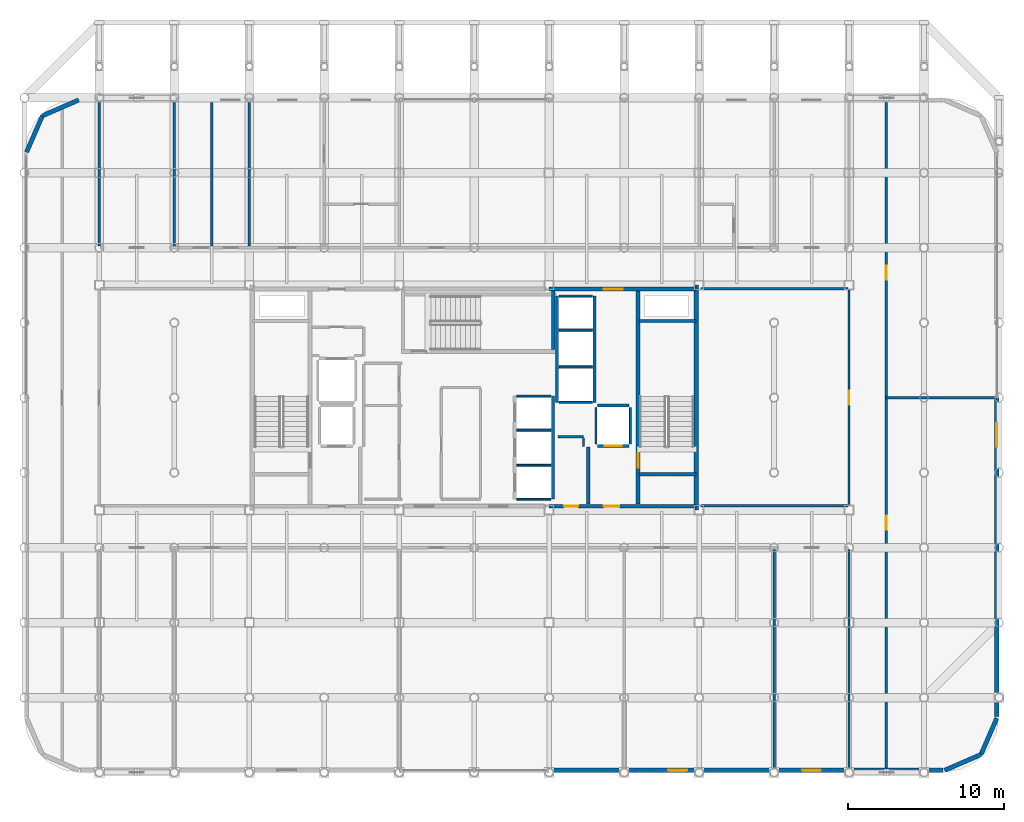
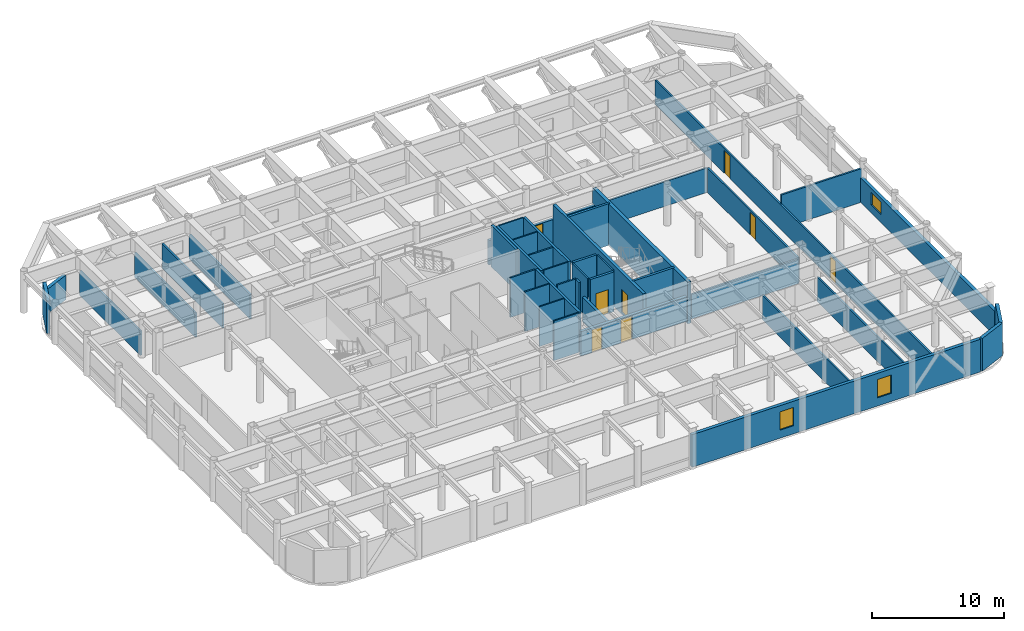
# One storey, part 22 of 24: 42 walls, 8 doors, 3 windows, 11 openings.
"""IFC4 building model written with IfcOpenShell, lengths in metres."""

import ifcopenshell
import ifcopenshell.guid

model = None  # the IFC model being written
_history = None  # IfcOwnerHistory: only IFC2X3 demands one
_inside = {}  # id of a spatial element -> (the spatial element, [elements in it])
_under = {}  # id of a project, library or spatial element -> (it, [spatial elements below it])
_declared = {}  # id of a project -> (the project, [libraries it declares])
_typed = {}  # id of a type object -> (the type object, [elements of that type])
_made_of = {}  # id of a material, layer set ... -> (it, [elements and type objects made of it])


def new_model(schema):
    """Start an empty IFC model of exactly this schema.

    Asked for "IFC4X3", IfcOpenShell would pick the latest addendum, in which some entities
    have other attributes; the version numbers below select the first issue.
    IFC2X3 requires an IfcOwnerHistory on every rooted entity: one is made here for all.
    """
    global model, _history
    if schema == "IFC4X3":
        model = ifcopenshell.file(schema_version=(4, 3, 0, 0))
    else:
        model = ifcopenshell.file(schema=schema)
    _inside.clear()
    _under.clear()
    _declared.clear()
    _typed.clear()
    _made_of.clear()
    _history = None
    if model.schema == "IFC2X3":
        org = make("IfcOrganization", Name="unknown")
        user = make(
            "IfcPersonAndOrganization",
            ThePerson=make("IfcPerson", FamilyName="unknown"),
            TheOrganization=org,
        )
        app = make(
            "IfcApplication",
            ApplicationDeveloper=org,
            Version="unknown",
            ApplicationFullName="unknown",
            ApplicationIdentifier="unknown",
        )
        _history = make(
            "IfcOwnerHistory",
            OwningUser=user,
            OwningApplication=app,
            ChangeAction="ADDED",
            CreationDate=0,
        )
    return model


def make(cls, **values):
    """One entity of the class cls with the attributes given. An attribute that is None is left unset."""
    return model.create_entity(
        cls, **{name: value for name, value in values.items() if value is not None}
    )


def rooted(cls, **values):
    """An entity with a GlobalId (a new one), such as an element, a storey or a relation."""
    return make(cls, GlobalId=ifcopenshell.guid.new(), OwnerHistory=_history, **values)


def si_unit(unit_type, name, prefix=None):
    """IfcSIUnit, for example si_unit("LENGTHUNIT", "METRE", prefix="MILLI")."""
    return make("IfcSIUnit", UnitType=unit_type, Prefix=prefix, Name=name)


def assignment(units):
    """IfcUnitAssignment: the units of a project."""
    return None if units is None else make("IfcUnitAssignment", Units=units)


def point(xyz):
    """IfcCartesianPoint."""
    return None if xyz is None else make("IfcCartesianPoint", Coordinates=xyz)


def direction(xyz):
    """IfcDirection."""
    return None if xyz is None else make("IfcDirection", DirectionRatios=xyz)


def frame(location, z_axis=None, x_axis=None):
    """IfcAxis2Placement3D, a coordinate frame: its origin and axes. An axis left out is left unset."""
    return make(
        "IfcAxis2Placement3D",
        Location=point(location),
        Axis=direction(z_axis),
        RefDirection=direction(x_axis),
    )


def frame_2d(location, x_axis=None):
    """IfcAxis2Placement2D, a coordinate frame in the plane: its origin and x axis."""
    return make(
        "IfcAxis2Placement2D", Location=point(location), RefDirection=direction(x_axis)
    )


def origin():
    """The frame at (0, 0, 0) with its axes left unset."""
    return frame((0.0, 0.0, 0.0))


def place(relative_to, where):
    """IfcLocalPlacement: puts the frame where relative to a parent placement (None: the world)."""
    return make(
        "IfcLocalPlacement", PlacementRelTo=relative_to, RelativePlacement=where
    )


def context(
    kind, dimensions, precision=None, world=None, true_north=None, identifier=None
):
    """IfcGeometricRepresentationContext, for example the 3D "Model" context."""
    return make(
        "IfcGeometricRepresentationContext",
        ContextIdentifier=identifier,
        ContextType=kind,
        CoordinateSpaceDimension=dimensions,
        Precision=precision,
        WorldCoordinateSystem=world,
        TrueNorth=true_north,
    )


def subcontext(parent, identifier, kind, view, scale=None):
    """IfcGeometricRepresentationSubContext, for example "Body" below "Model"."""
    return make(
        "IfcGeometricRepresentationSubContext",
        ContextIdentifier=identifier,
        ContextType=kind,
        ParentContext=parent,
        TargetScale=scale,
        TargetView=view,
    )


def project(units=None, contexts=None):
    """IfcProject with its units and contexts."""
    return rooted(
        "IfcProject",
        Name="project",
        RepresentationContexts=contexts,
        UnitsInContext=assignment(units),
    )


def spatial(cls, under=None, at=None, **own):
    """A site, building, storey or space (cls), placed at a placement, below another one or the project."""
    s = rooted(cls, ObjectPlacement=at, **own)
    if under is not None:
        _under.setdefault(under.id(), (under, []))[1].append(s)
    return s


def profile(cls, at=None, kind="AREA", **sizes):
    """A parametric profile (cls). Its sizes go by their IFC names, for example OverallWidth=200.0."""
    return make(cls, ProfileType=kind, Position=at, **sizes)


def rectangle(**sizes):
    """IfcRectangleProfileDef."""
    return profile("IfcRectangleProfileDef", **sizes)


def extrude(swept, where, along, depth):
    """IfcExtrudedAreaSolid: the profile swept, set in the frame where, extruded along a direction by depth."""
    return make(
        "IfcExtrudedAreaSolid",
        SweptArea=swept,
        Position=where,
        ExtrudedDirection=direction(along),
        Depth=depth,
    )


def shape(context_of_items, identifier, shape_type, items):
    """IfcShapeRepresentation: the items that make up one representation, for example the "Body"."""
    return make(
        "IfcShapeRepresentation",
        ContextOfItems=context_of_items,
        RepresentationIdentifier=identifier,
        RepresentationType=shape_type,
        Items=items,
    )


def material(Name=None, Category=None):
    """IfcMaterial."""
    return make("IfcMaterial", Name=Name, Category=Category)


def layer(
    of_material, thickness, ventilated=None, Name=None, Category=None, Priority=None
):
    """IfcMaterialLayer: one layer of a wall or slab, of a material (None: an air gap)."""
    return make(
        "IfcMaterialLayer",
        Material=of_material,
        LayerThickness=thickness,
        IsVentilated=ventilated,
        Name=Name,
        Category=Category,
        Priority=Priority,
    )


def layer_set(layers, Name=None):
    """IfcMaterialLayerSet."""
    return make("IfcMaterialLayerSet", MaterialLayers=layers, LayerSetName=Name)


def made_of(thing, what):
    """Note that an element or type object is made of a material, layer set ...; save() writes the relation."""
    if what is not None:
        _made_of.setdefault(what.id(), (what, []))[1].append(thing)
    return thing


def type_object(cls, material=None, **own):
    """A type object (cls), such as IfcWallType, which elements share."""
    return made_of(rooted(cls, **own), material)


def element(
    cls,
    number,
    at=None,
    inside=None,
    cuts=None,
    type_object=None,
    material=None,
    context=None,
    identifier="Body",
    shape_type=None,
    held_by="IfcProductDefinitionShape",
    body=None,
    shapes=None,
    **own,
):
    """One element of the class cls, such as IfcWall. Its Tag is "e" and its number.

    at: its placement. inside: the storey or other place that contains it. cuts: it is an
    opening in that element (IfcRelVoidsElement). A single representation is given by context,
    identifier, shape_type and body (its items); several are given by shapes. held_by: the class
    of the entity that holds the representations. save() writes the other relations.
    """
    e = rooted(cls, Tag="e%d" % number, ObjectPlacement=at, **own)
    if body is not None:
        shapes = [shape(context, identifier, shape_type, body)]
    if shapes is not None:
        e.Representation = make(held_by, Representations=shapes)
    if inside is not None:
        _inside.setdefault(inside.id(), (inside, []))[1].append(e)
    if cuts is not None:
        rooted(
            "IfcRelVoidsElement", RelatingBuildingElement=cuts, RelatedOpeningElement=e
        )
    if type_object is not None:
        _typed.setdefault(type_object.id(), (type_object, []))[1].append(e)
    return made_of(e, material)


def fill(opening, filler):
    """IfcRelFillsElement: the door or window that sits in an opening."""
    return rooted(
        "IfcRelFillsElement",
        RelatingOpeningElement=opening,
        RelatedBuildingElement=filler,
    )


def aggregate(whole, parts):
    """IfcRelAggregates: a whole, such as a stair, and the parts it consists of."""
    return rooted("IfcRelAggregates", RelatingObject=whole, RelatedObjects=parts)


def save(model, path):
    """Write the relations noted so far, then the file.

    IfcRelAggregates (storeys below a building ...), IfcRelContainedInSpatialStructure (elements
    in a storey), IfcRelDefinesByType, IfcRelAssociatesMaterial and IfcRelDeclares: one each for
    every whole, place, type object, material and project.
    """
    for whole, parts in _under.values():
        aggregate(whole, parts)
    for where, things in _inside.values():
        rooted(
            "IfcRelContainedInSpatialStructure",
            RelatedElements=things,
            RelatingStructure=where,
        )
    for kind, things in _typed.values():
        rooted("IfcRelDefinesByType", RelatedObjects=things, RelatingType=kind)
    for what, things in _made_of.values():
        rooted("IfcRelAssociatesMaterial", RelatedObjects=things, RelatingMaterial=what)
    for by, libraries in _declared.values():
        rooted("IfcRelDeclares", RelatingContext=by, RelatedDefinitions=libraries)
    model.write(path)


model = new_model("IFC4")

# Units and contexts
model_context = context("Model", 3, precision=1e-05, world=origin(), true_north=direction((0.0, 1.0)))
body_context = subcontext(model_context, "Body", "Model", "MODEL_VIEW")
ifc_project = project(units=[si_unit("LENGTHUNIT", "METRE"), si_unit("AREAUNIT", "SQUARE_METRE"), si_unit("VOLUMEUNIT", "CUBIC_METRE"), si_unit("PLANEANGLEUNIT", "RADIAN"), si_unit("MASSUNIT", "GRAM", prefix="KILO")], contexts=[model_context])

# Site, building, storey
site_placement = place(None, origin())
site = spatial("IfcSite", under=ifc_project, at=site_placement, CompositionType="ELEMENT")
building_placement = place(site_placement, origin())
building = spatial("IfcBuilding", under=site, at=building_placement, Name="Kallvorn Hotel Tower", CompositionType="ELEMENT")
storey_placement = place(building_placement, frame((0.0, 0.0, 218.449951171875)))
storey = spatial("IfcBuildingStorey", under=building, at=storey_placement, Name="L54", CompositionType="ELEMENT", Elevation=218.449951171875)

# Walls
ifc_material_1 = material(Name="Concrete C50/60", Category="concrete")
ifc_layer_1 = layer(ifc_material_1, 0.300048828125)
ifc_layer_set_1 = layer_set([ifc_layer_1], Name="WL_CORE_300")
wall_type_1 = type_object("IfcWallType", Name="WL_CORE_300", PredefinedType="SHEAR", material=ifc_layer_set_1)
wall_1_placement = place(storey_placement, frame((14.215087890625, -7.199951171875, -0.179931640625), z_axis=(0.0, 0.0, 1.0), x_axis=(0.0, 1.0, 0.0)))
element("IfcWall", 1, at=wall_1_placement, inside=storey, type_object=wall_type_1, Name="L54 Core East Shear Wall", PredefinedType="SHEAR", context=body_context, shape_type="SweptSolid", body=[
    extrude(rectangle(XDim=14.39990234375, YDim=0.300048828125, at=frame_2d((7.199951171875, 0.0))), origin(), (0.0, 0.0, 1.0), 3.85009765625),
])
ifc_material_2 = material(Name="Fire-rated double-layer acoustic gypsum drywall EI 60")
ifc_layer_2 = layer(ifc_material_2, 0.159912109375)
ifc_layer_set_2 = layer_set([ifc_layer_2], Name="WL_DEMISE_160")
wall_type_2 = type_object("IfcWallType", Name="WL_DEMISE_160", PredefinedType="PARTITIONING", material=ifc_layer_set_2)
wall_2_placement = place(storey_placement, frame((-14.39990234375, 9.719970703125, 0.0), z_axis=(0.0, 0.0, 1.0), x_axis=(0.0, 1.0, 0.0)))
element("IfcWall", 2, at=wall_2_placement, inside=storey, type_object=wall_type_2, Name="L54 Suite 5401 Junior Living Salon Partition", PredefinedType="PARTITIONING", context=body_context, shape_type="SweptSolid", body=[
    extrude(rectangle(XDim=9.18994140625, YDim=0.159912109375, at=frame_2d((4.594970703125, 0.0))), origin(), (0.0, 0.0, 1.0), 2.27001953125),
])
ifc_material_3 = material(Name="Precast basalt-clad insulated concrete wall C40/50", Category="masonry")
ifc_layer_3 = layer(ifc_material_3, 0.280029296875)
ifc_layer_set_3 = layer_set([ifc_layer_3], Name="WL_EXT_LOGGIA_280")
wall_type_3 = type_object("IfcWallType", Name="WL_EXT_LOGGIA_280", PredefinedType="SOLIDWALL", material=ifc_layer_set_3)
wall_3_placement = place(storey_placement, frame((30.120849609375, -23.85791015625, 0.0), z_axis=(0.0, 0.0, 1.0), x_axis=(0.917060872934, 0.398747232384, 0.0)))
element("IfcWall", 3, at=wall_3_placement, inside=storey, type_object=wall_type_3, Name="L54 Rounded Corner Exterior Wall SE1", PredefinedType="SOLIDWALL", context=body_context, shape_type="SweptSolid", body=[
    extrude(rectangle(XDim=2.5361328125, YDim=0.280029296875, at=frame_2d((1.26806640625, 0.0))), origin(), (0.0, 0.0, 1.0), 3.02001953125),
])
wall_4_placement = place(storey_placement, frame((32.446533203125, -22.8466796875, 0.0), z_axis=(0.0, 0.0, 1.0), x_axis=(0.398792985289, 0.917040977756, 0.0)))
element("IfcWall", 4, at=wall_4_placement, inside=storey, type_object=wall_type_3, Name="L54 Rounded Corner Exterior Wall SE2", PredefinedType="SOLIDWALL", context=body_context, shape_type="SweptSolid", body=[
    extrude(rectangle(XDim=2.536376953125, YDim=0.280029296875, at=frame_2d((1.26806640625, 0.0))), origin(), (0.0, 0.0, 1.0), 3.02001953125),
])
wall_5_placement = place(storey_placement, frame((-25.32080078125, 19.057861328125, 0.0), z_axis=(0.0, 0.0, 1.0), x_axis=(-0.917060872934, -0.398747232384, 0.0)))
element("IfcWall", 5, at=wall_5_placement, inside=storey, type_object=wall_type_3, Name="L54 Rounded Corner Exterior Wall NW1", PredefinedType="SOLIDWALL", context=body_context, shape_type="SweptSolid", body=[
    extrude(rectangle(XDim=2.5361328125, YDim=0.280029296875, at=frame_2d((1.26806640625, 0.0))), origin(), (0.0, 0.0, 1.0), 2.27001953125),
])
wall_6_placement = place(storey_placement, frame((-27.646484375, 18.046630859375, 0.0), z_axis=(0.0, 0.0, 1.0), x_axis=(-0.398792985289, -0.917040977756, 0.0)))
element("IfcWall", 6, at=wall_6_placement, inside=storey, type_object=wall_type_3, Name="L54 Rounded Corner Exterior Wall NW2", PredefinedType="SOLIDWALL", context=body_context, shape_type="SweptSolid", body=[
    extrude(rectangle(XDim=2.536376953125, YDim=0.280029296875, at=frame_2d((1.26806640625, 0.0))), origin(), (0.0, 0.0, 1.0), 3.02001953125),
])

# Wall, openings, windows
wall_7_placement = place(storey_placement, frame((4.75, -23.860107421875, 0.0), z_axis=(0.0, 0.0, 1.0), x_axis=(1.0, 0.0, 0.0)))
wall_7 = element("IfcWall", 7, at=wall_7_placement, inside=storey, type_object=wall_type_3, Name="L54 Exterior Envelope Wall EW-L54-SE", PredefinedType="SOLIDWALL", context=body_context, shape_type="SweptSolid", body=[
    extrude(rectangle(XDim=25.25, YDim=0.280029296875, at=frame_2d((12.625, 0.0))), origin(), (0.0, 0.0, 1.0), 3.02001953125),
])
opening_1_placement = place(wall_7_placement, frame((16.25, 0.0, 0.75)))
opening_1 = element("IfcOpeningElement", 8, at=opening_1_placement, cuts=wall_7, Name="Opening W06", PredefinedType="OPENING", context=body_context, shape_type="SweptSolid", body=[
    extrude(rectangle(XDim=1.199951171875, YDim=1.699951171875, at=frame_2d((0.60009765625, 0.85009765625))), frame((0.0, 0.155029296875, 0.0), z_axis=(0.0, -1.0, 0.0), x_axis=(1.0, 0.0, 0.0)), (0.0, 0.0, 1.0), 0.31005859375),
])
opening_2_placement = place(wall_7_placement, frame((7.68408203125, 0.0, 0.75)))
opening_2 = element("IfcOpeningElement", 9, at=opening_2_placement, cuts=wall_7, Name="Opening W06", PredefinedType="OPENING", context=body_context, shape_type="SweptSolid", body=[
    extrude(rectangle(XDim=1.199951171875, YDim=1.699951171875, at=frame_2d((0.60009765625, 0.85009765625))), frame((0.0, 0.155029296875, 0.0), z_axis=(0.0, -1.0, 0.0), x_axis=(1.0, 0.0, 0.0)), (0.0, 0.0, 1.0), 0.31005859375),
])
ifc_material_4 = material(Name="Triple-glazed low-e acoustic solar-control dark glass", Category="glass")
window_type_1 = type_object("IfcWindowType", Name="WN_HTL_1200x1700", PartitioningType="SINGLE_PANEL", PredefinedType="WINDOW", material=ifc_material_4)
window_1_placement = place(opening_1_placement, origin())
window_1 = element("IfcWindow", 10, at=window_1_placement, inside=storey, type_object=window_type_1, Name="L54 Guestroom Exterior Window 01", OverallHeight=1.699951171875, OverallWidth=1.199951171875, PartitioningType="SINGLE_PANEL", PredefinedType="WINDOW", context=body_context, shape_type="SweptSolid", body=[
    extrude(rectangle(XDim=1.199951171875, YDim=1.699951171875, at=frame_2d((0.60009765625, 0.85009765625))), frame((0.0, 0.030029296875, 0.0), z_axis=(0.0, -1.0, 0.0), x_axis=(1.0, 0.0, 0.0)), (0.0, 0.0, 1.0), 0.06005859375),
])
fill(opening_1, window_1)
window_2_placement = place(opening_2_placement, origin())
window_2 = element("IfcWindow", 11, at=window_2_placement, inside=storey, type_object=window_type_1, Name="L54 Guestroom Exterior Window 05", OverallHeight=1.699951171875, OverallWidth=1.199951171875, PartitioningType="SINGLE_PANEL", PredefinedType="WINDOW", context=body_context, shape_type="SweptSolid", body=[
    extrude(rectangle(XDim=1.199951171875, YDim=1.699951171875, at=frame_2d((0.60009765625, 0.85009765625))), frame((0.0, 0.030029296875, 0.0), z_axis=(0.0, -1.0, 0.0), x_axis=(1.0, 0.0, 0.0)), (0.0, 0.0, 1.0), 0.06005859375),
])
fill(opening_2, window_2)

# Wall, opening, window
wall_8_placement = place(storey_placement, frame((33.4599609375, -20.39990234375, 0.0), z_axis=(0.0, 0.0, 1.0), x_axis=(0.0, 1.0, 0.0)))
wall_8 = element("IfcWall", 12, at=wall_8_placement, inside=storey, type_object=wall_type_3, Name="L54 Exterior Envelope Wall EW-L54-ES", PredefinedType="SOLIDWALL", context=body_context, shape_type="SweptSolid", body=[
    extrude(rectangle(XDim=20.3798828125, YDim=0.280029296875, at=frame_2d((10.18994140625, 0.0))), origin(), (0.0, 0.0, 1.0), 2.27001953125),
])
opening_3_placement = place(wall_8_placement, frame((17.25, 0.0, 0.75)))
opening_3 = element("IfcOpeningElement", 13, at=opening_3_placement, cuts=wall_8, Name="Opening W05A", PredefinedType="OPENING", context=body_context, shape_type="SweptSolid", body=[
    extrude(rectangle(XDim=1.5, YDim=1.14990234375, at=frame_2d((0.75, 0.574951171875))), frame((0.0, 0.155029296875, 0.0), z_axis=(0.0, -1.0, 0.0), x_axis=(1.0, 0.0, 0.0)), (0.0, 0.0, 1.0), 0.31005859375),
])
ifc_material_5 = material(Name="Double-glazed low-e solar-control dark glass", Category="glass")
window_type_2 = type_object("IfcWindowType", Name="WN_HTL_1500x1150", PartitioningType="SINGLE_PANEL", PredefinedType="WINDOW", material=ifc_material_5)
window_3_placement = place(opening_3_placement, origin())
window_3 = element("IfcWindow", 14, at=window_3_placement, inside=storey, type_object=window_type_2, Name="L54 Flank Wing Window 03", OverallHeight=1.14990234375, OverallWidth=1.5, PartitioningType="SINGLE_PANEL", PredefinedType="WINDOW", context=body_context, shape_type="SweptSolid", body=[
    extrude(rectangle(XDim=1.5, YDim=1.14990234375, at=frame_2d((0.75, 0.574951171875))), frame((0.0, 0.030029296875, 0.0), z_axis=(0.0, -1.0, 0.0), x_axis=(1.0, 0.0, 0.0)), (0.0, 0.0, 1.0), 0.06005859375),
])
fill(opening_3, window_3)

# Walls
ifc_material_6 = material(Name="Concrete C40/50", Category="concrete")
ifc_layer_4 = layer(ifc_material_6, 0.219970703125)
ifc_layer_set_4 = layer_set([ifc_layer_4], Name="WL_FFL_220")
wall_type_4 = type_object("IfcWallType", Name="WL_FFL_220", PredefinedType="SOLIDWALL", material=ifc_layer_set_4)
wall_9_placement = place(storey_placement, frame((7.300048828125, -6.820068359375, 0.0), z_axis=(0.0, 0.0, 1.0), x_axis=(0.0, 1.0, 0.0)))
element("IfcWall", 15, at=wall_9_placement, inside=storey, type_object=wall_type_4, Name="L54 Firefighting Lobby East Divider Wall", PredefinedType="SOLIDWALL", context=body_context, shape_type="SweptSolid", body=[
    extrude(rectangle(XDim=3.670166015625, YDim=0.219970703125, at=frame_2d((1.8349609375, 0.0))), origin(), (0.0, 0.0, 1.0), 2.27001953125),
])
ifc_material_7 = material(Name="Concrete C40/50", Category="concrete")
ifc_layer_5 = layer(ifc_material_7, 0.199951171875)
ifc_layer_set_5 = layer_set([ifc_layer_5], Name="WL_HOIST_200")
wall_type_5 = type_object("IfcWallType", Name="WL_HOIST_200", PredefinedType="SOLIDWALL", material=ifc_layer_set_5)
for number, where, z_axis, x_axis, name in (
    (16, (10.550048828125, -4.89990234375, -0.179931640625), (0.0, 0.0, 1.0), (1.0, 0.0, 0.0), "L54 Stair ST2 South Wall"),
    (17, (10.550048828125, 4.89990234375, -0.179931640625), (0.0, 0.0, 1.0), (1.0, 0.0, 0.0), "L54 Stair ST2 North Wall"),
):
    element("IfcWall", number, at=place(storey_placement, frame(where, z_axis=z_axis, x_axis=x_axis)), inside=storey, type_object=wall_type_5, Name=name, PredefinedType="SOLIDWALL", context=body_context, shape_type="SweptSolid", body=[
        extrude(rectangle(XDim=3.64990234375, YDim=0.199951171875, at=frame_2d((1.824951171875, 0.0))), origin(), (0.0, 0.0, 1.0), 3.85009765625),
    ])
wall_10_placement = place(storey_placement, frame((5.06005859375, 3.080078125, -0.179931640625), z_axis=(0.0, 0.0, 1.0), x_axis=(0.0, 1.0, 0.0)))
element("IfcWall", 18, at=wall_10_placement, inside=storey, type_object=wall_type_5, Name="L54 Stair ST3 East Wall", PredefinedType="SOLIDWALL", context=body_context, shape_type="SweptSolid", body=[
    extrude(rectangle(XDim=3.739990234375, YDim=0.199951171875, at=frame_2d((1.8701171875, 0.0))), origin(), (0.0, 0.0, 1.0), 3.85009765625),
])
wall_11_placement = place(storey_placement, frame((5.050048828125, -6.5, 0.0), z_axis=(0.0, 0.0, 1.0), x_axis=(0.0, 1.0, 0.0)))
element("IfcWall", 19, at=wall_11_placement, inside=storey, type_object=wall_type_5, Name="L54 Lift Bank B3A Rear Shaft Wall", PredefinedType="SOLIDWALL", context=body_context, shape_type="SweptSolid", body=[
    extrude(rectangle(XDim=6.60009765625, YDim=0.199951171875, at=frame_2d((3.300048828125, 0.0))), origin(), (0.0, 0.0, 1.0), 3.670166015625),
])
for number, where, z_axis, x_axis, name in (
    (20, (7.699951171875, -0.300048828125, 0.0), (0.0, 0.0, 1.0), (0.0, 1.0, 0.0), "L54 Lift Bank OBS Landing Wall"),
    (21, (5.300048828125, -0.300048828125, 0.0), (0.0, 0.0, 1.0), (0.0, 1.0, 0.0), "L54 Lift Bank OBS Rear Shaft Wall"),
):
    element("IfcWall", number, at=place(storey_placement, frame(where, z_axis=z_axis, x_axis=x_axis)), inside=storey, type_object=wall_type_5, Name=name, PredefinedType="SOLIDWALL", context=body_context, shape_type="SweptSolid", body=[
        extrude(rectangle(XDim=6.800048828125, YDim=0.199951171875, at=frame_2d((3.39990234375, 0.0))), origin(), (0.0, 0.0, 1.0), 3.670166015625),
    ])

# Wall, opening, door
wall_12_placement = place(storey_placement, frame((7.8798828125, -3.10009765625, 0.0), z_axis=(0.0, 0.0, 1.0), x_axis=(1.0, 0.0, 0.0)))
wall_12 = element("IfcWall", 22, at=wall_12_placement, inside=storey, type_object=wall_type_5, Name="L54 FL-2 Landing Wall", PredefinedType="SOLIDWALL", context=body_context, shape_type="SweptSolid", body=[
    extrude(rectangle(XDim=2.0400390625, YDim=0.199951171875, at=frame_2d((1.02001953125, 0.0))), origin(), (0.0, 0.0, 1.0), 3.670166015625),
])
opening_4_placement = place(wall_12_placement, frame((0.469970703125, 0.0, 0.0)))
opening_4 = element("IfcOpeningElement", 23, at=opening_4_placement, cuts=wall_12, Name="Opening LD-FL-2", PredefinedType="OPENING", context=body_context, shape_type="SweptSolid", body=[
    extrude(rectangle(XDim=1.10009765625, YDim=2.199951171875, at=frame_2d((0.550048828125, 1.10009765625))), frame((0.0, 0.114990234375, 0.0), z_axis=(0.0, -1.0, 0.0), x_axis=(1.0, 0.0, 0.0)), (0.0, 0.0, 1.0), 0.22998046875),
])
ifc_material_8 = material(Name="Brushed stainless-steel automatic sliding lift landing door", Category="steel")
door_type_1 = type_object("IfcDoorType", Name="LD_PASS_1100x2200", OperationType="SLIDING_TO_LEFT", PredefinedType="DOOR", material=ifc_material_8)
door_1_placement = place(opening_4_placement, origin())
door_1 = element("IfcDoor", 24, at=door_1_placement, inside=storey, type_object=door_type_1, Name="L54 Lift Landing Sliding Door LD-FL-2", OperationType="SLIDING_TO_LEFT", OverallHeight=2.199951171875, OverallWidth=1.10009765625, PredefinedType="DOOR", context=body_context, shape_type="SweptSolid", body=[
    extrude(rectangle(XDim=1.10009765625, YDim=2.199951171875, at=frame_2d((0.550048828125, 1.10009765625))), frame((0.0, 0.02490234375, 0.0), z_axis=(0.0, -1.0, 0.0), x_axis=(1.0, 0.0, 0.0)), (0.0, 0.0, 1.0), 0.050048828125),
])
fill(opening_4, door_1)

# Walls
wall_13_placement = place(storey_placement, frame((7.8798828125, -0.5, 0.0), z_axis=(0.0, 0.0, 1.0), x_axis=(1.0, 0.0, 0.0)))
element("IfcWall", 25, at=wall_13_placement, inside=storey, type_object=wall_type_5, Name="L54 FL-2 Rear Shaft Wall", PredefinedType="SOLIDWALL", context=body_context, shape_type="SweptSolid", body=[
    extrude(rectangle(XDim=2.0400390625, YDim=0.199951171875, at=frame_2d((1.02001953125, 0.0))), origin(), (0.0, 0.0, 1.0), 3.670166015625),
])
ifc_material_9 = material(Name="Fire-rated double-layer acoustic gypsum drywall EI 60")
ifc_layer_6 = layer(ifc_material_9, 0.1201171875)
ifc_layer_set_6 = layer_set([ifc_layer_6], Name="WL_INT_120")
wall_type_6 = type_object("IfcWallType", Name="WL_INT_120", PredefinedType="PARTITIONING", material=ifc_layer_set_6)
for number, where, z_axis, x_axis, name in (
    (26, (2.739990234375, -6.5, 0.0), (0.0, 0.0, 1.0), (1.0, 0.0, 0.0), "L54 Lift Bank B3A South Closure Wall"),
    (27, (2.739990234375, -4.324951171875, 0.0), (0.0, 0.0, 1.0), (1.0, 0.0, 0.0), "L54 PL-09 Hoistway Divider"),
    (28, (2.739990234375, -2.074951171875, 0.0), (0.0, 0.0, 1.0), (1.0, 0.0, 0.0), "L54 PL-10 Hoistway Divider"),
    (29, (2.739990234375, 0.10009765625, 0.0), (0.0, 0.0, 1.0), (1.0, 0.0, 0.0), "L54 PL-11 Hoistway Divider"),
):
    element("IfcWall", number, at=place(storey_placement, frame(where, z_axis=z_axis, x_axis=x_axis)), inside=storey, type_object=wall_type_6, Name=name, PredefinedType="PARTITIONING", context=body_context, shape_type="SweptSolid", body=[
        extrude(rectangle(XDim=2.169921875, YDim=0.1201171875, at=frame_2d((1.0849609375, 0.0))), origin(), (0.0, 0.0, 1.0), 3.670166015625),
    ])
for number, where, z_axis, x_axis, name in (
    (30, (5.43994140625, -0.300048828125, 0.0), (0.0, 0.0, 1.0), (1.0, 0.0, 0.0), "L54 Lift Bank OBS South Closure Wall"),
    (31, (5.43994140625, 1.97509765625, 0.0), (0.0, 0.0, 1.0), (1.0, 0.0, 0.0), "L54 OB-01 Hoistway Divider"),
    (32, (5.43994140625, 4.324951171875, 0.0), (0.0, 0.0, 1.0), (1.0, 0.0, 0.0), "L54 OB-02 Hoistway Divider"),
    (33, (5.43994140625, 6.5, 0.0), (0.0, 0.0, 1.0), (1.0, 0.0, 0.0), "L54 OB-03 Hoistway Divider"),
):
    element("IfcWall", number, at=place(storey_placement, frame(where, z_axis=z_axis, x_axis=x_axis)), inside=storey, type_object=wall_type_6, Name=name, PredefinedType="PARTITIONING", context=body_context, shape_type="SweptSolid", body=[
        extrude(rectangle(XDim=2.1201171875, YDim=0.1201171875, at=frame_2d((1.06005859375, 0.0))), origin(), (0.0, 0.0, 1.0), 3.670166015625),
    ])
for number, where, z_axis, x_axis, name in (
    (34, (7.800048828125, -2.9599609375, 0.0), (0.0, 0.0, 1.0), (0.0, 1.0, 0.0), "L54 FL-2 West Shaft Wall"),
    (35, (10.0, -2.9599609375, 0.0), (0.0, 0.0, 1.0), (0.0, 1.0, 0.0), "L54 FL-2 East Shaft Wall"),
):
    element("IfcWall", number, at=place(storey_placement, frame(where, z_axis=z_axis, x_axis=x_axis)), inside=storey, type_object=wall_type_6, Name=name, PredefinedType="PARTITIONING", context=body_context, shape_type="SweptSolid", body=[
        extrude(rectangle(XDim=2.320068359375, YDim=0.1201171875, at=frame_2d((1.16015625, 0.0))), origin(), (0.0, 0.0, 1.0), 3.670166015625),
    ])
ifc_material_10 = material(Name="Fire-rated double-layer acoustic gypsum drywall EI 60")
ifc_layer_7 = layer(ifc_material_10, 0.14990234375)
ifc_layer_set_7 = layer_set([ifc_layer_7], Name="WL_PART_150")
wall_type_7 = type_object("IfcWallType", Name="WL_PART_150", PredefinedType="PARTITIONING", material=ifc_layer_set_7)
wall_14_placement = place(storey_placement, frame((14.52001953125, -6.919921875, 0.0), z_axis=(0.0, 0.0, 1.0), x_axis=(1.0, 0.0, 0.0)))
element("IfcWall", 36, at=wall_14_placement, inside=storey, type_object=wall_type_7, Name="L54 L54 High-Zone Inner East Club Gallery Partition", PredefinedType="PARTITIONING", context=body_context, shape_type="SweptSolid", body=[
    extrude(rectangle(XDim=9.39990234375, YDim=0.14990234375, at=frame_2d((4.699951171875, 0.0))), origin(), (0.0, 0.0, 1.0), 2.27001953125),
])
wall_15_placement = place(storey_placement, frame((26.3798828125, 0.0, 0.0), z_axis=(0.0, 0.0, 1.0), x_axis=(1.0, 0.0, 0.0)))
element("IfcWall", 37, at=wall_15_placement, inside=storey, type_object=wall_type_7, Name="L54 L54 Outer East South Tasting Bar Partition", PredefinedType="PARTITIONING", context=body_context, shape_type="SweptSolid", body=[
    extrude(rectangle(XDim=7.050048828125, YDim=0.14990234375, at=frame_2d((3.52490234375, 0.0))), origin(), (0.0, 0.0, 1.0), 3.1201171875),
])
wall_16_placement = place(storey_placement, frame((14.52001953125, 6.97998046875, 0.0), z_axis=(0.0, 0.0, 1.0), x_axis=(1.0, 0.0, 0.0)))
element("IfcWall", 38, at=wall_16_placement, inside=storey, type_object=wall_type_7, Name="L54 L54 High-Zone Inner East Club Gallery Partition", PredefinedType="PARTITIONING", context=body_context, shape_type="SweptSolid", body=[
    extrude(rectangle(XDim=9.39990234375, YDim=0.14990234375, at=frame_2d((4.699951171875, 0.0))), origin(), (0.0, 0.0, 1.0), 2.27001953125),
])
for number, where, z_axis, x_axis, name in (
    (39, (-24.0, 9.719970703125, 0.0), (0.0, 0.0, 1.0), (0.0, 1.0, 0.0), "L54 L54 High-Zone North-West Reading Salon Partition"),
    (40, (-19.199951171875, 9.719970703125, 0.0), (0.0, 0.0, 1.0), (0.0, 1.0, 0.0), "L54 Housekeeping and Linen Room Partition"),
    (41, (-16.800048828125, 9.719970703125, 0.0), (0.0, 0.0, 1.0), (0.0, 1.0, 0.0), "L54 Guest Tea and Refreshment Bar Partition"),
):
    element("IfcWall", number, at=place(storey_placement, frame(where, z_axis=z_axis, x_axis=x_axis)), inside=storey, type_object=wall_type_7, Name=name, PredefinedType="PARTITIONING", context=body_context, shape_type="SweptSolid", body=[
        extrude(rectangle(XDim=9.18994140625, YDim=0.14990234375, at=frame_2d((4.594970703125, 0.0))), origin(), (0.0, 0.0, 1.0), 2.27001953125),
    ])
for number, where, z_axis, x_axis, name in (
    (42, (19.199951171875, -23.7099609375, 0.0), (0.0, 0.0, 1.0), (0.0, 1.0, 0.0), "L54 L54 Haute Couture Design Retail Shop 3 Partition"),
    (43, (24.0, -23.7099609375, 0.0), (0.0, 0.0, 1.0), (0.0, 1.0, 0.0), "L54 L54 High-Zone South-East Wine Bar Partition"),
):
    element("IfcWall", number, at=place(storey_placement, frame(where, z_axis=z_axis, x_axis=x_axis)), inside=storey, type_object=wall_type_7, Name=name, PredefinedType="PARTITIONING", context=body_context, shape_type="SweptSolid", body=[
        extrude(rectangle(XDim=13.989990234375, YDim=0.14990234375, at=frame_2d((6.9951171875, 0.0))), origin(), (0.0, 0.0, 1.0), 2.27001953125),
    ])

# Wall, opening, door
wall_17_placement = place(storey_placement, frame((24.0, -6.8349609375, 0.0), z_axis=(0.0, 0.0, 1.0), x_axis=(0.0, 1.0, 0.0)))
wall_17 = element("IfcWall", 44, at=wall_17_placement, inside=storey, type_object=wall_type_7, Name="L54 L54 High-Zone Inner East Club Gallery Partition", PredefinedType="PARTITIONING", context=body_context, shape_type="SweptSolid", body=[
    extrude(rectangle(XDim=13.72998046875, YDim=0.14990234375, at=frame_2d((6.864990234375, 0.0))), origin(), (0.0, 0.0, 1.0), 2.27001953125),
])
opening_5_placement = place(wall_17_placement, frame((6.385009765625, 0.0, 0.0)))
opening_5 = element("IfcOpeningElement", 45, at=opening_5_placement, cuts=wall_17, Name="Opening SVD1", PredefinedType="OPENING", context=body_context, shape_type="SweptSolid", body=[
    extrude(rectangle(XDim=0.89990234375, YDim=2.10009765625, at=frame_2d((0.449951171875, 1.050048828125))), frame((0.0, 0.08984375, 0.0), z_axis=(0.0, -1.0, 0.0), x_axis=(1.0, 0.0, 0.0)), (0.0, 0.0, 1.0), 0.179931640625),
])
ifc_material_11 = material(Name="Galvanised painted steel fire-rated door assembly", Category="steel")
door_type_2 = type_object("IfcDoorType", Name="DR_SERV_900x2100", OperationType="NOTDEFINED", PredefinedType="DOOR", material=ifc_material_11)
door_2_placement = place(opening_5_placement, origin())
door_2 = element("IfcDoor", 46, at=door_2_placement, inside=storey, type_object=door_type_2, Name="L54 L54 High-Zone Inner East Club Gallery Door", OperationType="SINGLE_SWING_LEFT", OverallHeight=2.10009765625, OverallWidth=0.89990234375, PredefinedType="DOOR", context=body_context, shape_type="SweptSolid", body=[
    extrude(rectangle(XDim=0.89990234375, YDim=2.10009765625, at=frame_2d((0.449951171875, 1.050048828125))), frame((0.0, 0.02490234375, 0.0), z_axis=(0.0, -1.0, 0.0), x_axis=(1.0, 0.0, 0.0)), (0.0, 0.0, 1.0), 0.050048828125),
])
fill(opening_5, door_2)

# Wall, openings, doors
wall_18_placement = place(storey_placement, frame((26.3798828125, -23.7099609375, 0.0), z_axis=(0.0, 0.0, 1.0), x_axis=(0.0, 1.0, 0.0)))
wall_18 = element("IfcWall", 47, at=wall_18_placement, inside=storey, type_object=wall_type_7, Name="L54 L54 Outer East South Tasting Bar Partition", PredefinedType="PARTITIONING", context=body_context, shape_type="SweptSolid", body=[
    extrude(rectangle(XDim=42.619873046875, YDim=0.14990234375, at=frame_2d((21.31005859375, 0.0))), origin(), (0.0, 0.0, 1.0), 2.27001953125),
])
opening_6_placement = place(wall_18_placement, frame((15.260009765625, 0.0, 0.0)))
opening_6 = element("IfcOpeningElement", 48, at=opening_6_placement, cuts=wall_18, Name="Opening SVD1", PredefinedType="OPENING", context=body_context, shape_type="SweptSolid", body=[
    extrude(rectangle(XDim=0.89990234375, YDim=2.10009765625, at=frame_2d((0.449951171875, 1.050048828125))), frame((0.0, 0.08984375, 0.0), z_axis=(0.0, -1.0, 0.0), x_axis=(1.0, 0.0, 0.0)), (0.0, 0.0, 1.0), 0.179931640625),
])
opening_7_placement = place(wall_18_placement, frame((31.260009765625, 0.0, 0.0)))
opening_7 = element("IfcOpeningElement", 49, at=opening_7_placement, cuts=wall_18, Name="Opening SVD1", PredefinedType="OPENING", context=body_context, shape_type="SweptSolid", body=[
    extrude(rectangle(XDim=0.89990234375, YDim=2.10009765625, at=frame_2d((0.449951171875, 1.050048828125))), frame((0.0, 0.08984375, 0.0), z_axis=(0.0, -1.0, 0.0), x_axis=(1.0, 0.0, 0.0)), (0.0, 0.0, 1.0), 0.179931640625),
])
door_3_placement = place(opening_6_placement, origin())
door_3 = element("IfcDoor", 50, at=door_3_placement, inside=storey, type_object=door_type_2, Name="L54 L54 Outer East South Tasting Bar Door", OperationType="SINGLE_SWING_LEFT", OverallHeight=2.10009765625, OverallWidth=0.89990234375, PredefinedType="DOOR", context=body_context, shape_type="SweptSolid", body=[
    extrude(rectangle(XDim=0.89990234375, YDim=2.10009765625, at=frame_2d((0.449951171875, 1.050048828125))), frame((0.0, 0.02490234375, 0.0), z_axis=(0.0, -1.0, 0.0), x_axis=(1.0, 0.0, 0.0)), (0.0, 0.0, 1.0), 0.050048828125),
])
fill(opening_6, door_3)
door_4_placement = place(opening_7_placement, origin())
door_4 = element("IfcDoor", 51, at=door_4_placement, inside=storey, type_object=door_type_2, Name="L54 L54 Outer East North Collectors Gallery Door", OperationType="SINGLE_SWING_RIGHT", OverallHeight=2.10009765625, OverallWidth=0.89990234375, PredefinedType="DOOR", context=body_context, shape_type="SweptSolid", body=[
    extrude(rectangle(XDim=0.89990234375, YDim=2.10009765625, at=frame_2d((0.449951171875, 1.050048828125))), frame((0.0, 0.02490234375, 0.0), z_axis=(0.0, -1.0, 0.0), x_axis=(1.0, 0.0, 0.0)), (0.0, 0.0, 1.0), 0.050048828125),
])
fill(opening_7, door_4)

# Walls
ifc_material_12 = material(Name="Moisture-resistant acoustic plumbing chase wall EI 60")
ifc_layer_8 = layer(ifc_material_12, 0.139892578125)
ifc_layer_set_8 = layer_set([ifc_layer_8], Name="WL_PLUMB_140")
wall_type_8 = type_object("IfcWallType", Name="WL_PLUMB_140", PredefinedType="PLUMBINGWALL", material=ifc_layer_set_8)
wall_19_placement = place(storey_placement, frame((5.35009765625, -2.5, 0.0), z_axis=(0.0, 0.0, 1.0), x_axis=(1.0, 0.0, 0.0)))
element("IfcWall", 52, at=wall_19_placement, inside=storey, type_object=wall_type_8, Name="L54 Core Accessible Staff WC Partition", PredefinedType="PLUMBINGWALL", context=body_context, shape_type="SweptSolid", body=[
    extrude(rectangle(XDim=1.64990234375, YDim=0.139892578125, at=frame_2d((0.824951171875, 0.0))), origin(), (0.0, 0.0, 1.0), 3.670166015625),
])
wall_20_placement = place(storey_placement, frame((7.0, -3.110107421875, 0.0), z_axis=(0.0, 0.0, 1.0), x_axis=(0.0, 1.0, 0.0)))
element("IfcWall", 53, at=wall_20_placement, inside=storey, type_object=wall_type_8, Name="L54 Core Accessible Staff WC Partition", PredefinedType="PLUMBINGWALL", context=body_context, shape_type="SweptSolid", body=[
    extrude(rectangle(XDim=0.525146484375, YDim=0.139892578125, at=frame_2d((0.2626953125, 0.0))), origin(), (0.0, 0.0, 1.0), 3.670166015625),
])

# Wall, openings, doors
ifc_material_13 = material(Name="Concrete C40/50", Category="concrete")
ifc_layer_9 = layer(ifc_material_13, 0.25)
ifc_layer_set_9 = layer_set([ifc_layer_9], Name="WL_SHAFT_250")
wall_type_9 = type_object("IfcWallType", Name="WL_SHAFT_250", PredefinedType="SOLIDWALL", material=ifc_layer_set_9)
wall_21_placement = place(storey_placement, frame((4.800048828125, -6.949951171875, 0.0), z_axis=(0.0, 0.0, 1.0), x_axis=(1.0, 0.0, 0.0)))
wall_21 = element("IfcWall", 54, at=wall_21_placement, inside=storey, type_object=wall_type_9, Name="L54 Core South-East Wall", PredefinedType="SOLIDWALL", context=body_context, shape_type="SweptSolid", body=[
    extrude(rectangle(XDim=9.39990234375, YDim=0.25, at=frame_2d((4.699951171875, 0.0))), origin(), (0.0, 0.0, 1.0), 2.27001953125),
])
opening_8_placement = place(wall_21_placement, frame((3.5, 0.0, 0.0)))
opening_8 = element("IfcOpeningElement", 55, at=opening_8_placement, cuts=wall_21, Name="Opening FD1", PredefinedType="OPENING", context=body_context, shape_type="SweptSolid", body=[
    extrude(rectangle(XDim=1.0, YDim=2.14990234375, at=frame_2d((0.5, 1.074951171875))), frame((0.0, 0.139892578125, 0.0), z_axis=(0.0, -1.0, 0.0), x_axis=(1.0, 0.0, 0.0)), (0.0, 0.0, 1.0), 0.280029296875),
])
opening_9_placement = place(wall_21_placement, frame((0.949951171875, 0.0, 0.0)))
opening_9 = element("IfcOpeningElement", 56, at=opening_9_placement, cuts=wall_21, Name="Opening SVD1", PredefinedType="OPENING", context=body_context, shape_type="SweptSolid", body=[
    extrude(rectangle(XDim=0.89990234375, YDim=2.10009765625, at=frame_2d((0.449951171875, 1.050048828125))), frame((0.0, 0.139892578125, 0.0), z_axis=(0.0, -1.0, 0.0), x_axis=(1.0, 0.0, 0.0)), (0.0, 0.0, 1.0), 0.280029296875),
])
ifc_material_14 = material(Name="Galvanised painted steel fire-rated door assembly", Category="steel")
door_type_3 = type_object("IfcDoorType", Name="DR_FFL_1000x2150", OperationType="NOTDEFINED", PredefinedType="DOOR", material=ifc_material_14)
door_5_placement = place(opening_8_placement, origin())
door_5 = element("IfcDoor", 57, at=door_5_placement, inside=storey, type_object=door_type_3, Name="L54 Firefighting Lobby East Door", OperationType="SINGLE_SWING_LEFT", OverallHeight=2.14990234375, OverallWidth=1.0, PredefinedType="DOOR", context=body_context, shape_type="SweptSolid", body=[
    extrude(rectangle(XDim=1.0, YDim=2.14990234375, at=frame_2d((0.5, 1.074951171875))), frame((0.0, 0.02490234375, 0.0), z_axis=(0.0, -1.0, 0.0), x_axis=(1.0, 0.0, 0.0)), (0.0, 0.0, 1.0), 0.050048828125),
])
fill(opening_8, door_5)
door_6_placement = place(opening_9_placement, origin())
door_6 = element("IfcDoor", 58, at=door_6_placement, inside=storey, type_object=door_type_2, Name="L54 Core Accessible Staff WC Door", OperationType="SINGLE_SWING_LEFT", OverallHeight=2.10009765625, OverallWidth=0.89990234375, PredefinedType="DOOR", context=body_context, shape_type="SweptSolid", body=[
    extrude(rectangle(XDim=0.89990234375, YDim=2.10009765625, at=frame_2d((0.449951171875, 1.050048828125))), frame((0.0, 0.02490234375, 0.0), z_axis=(0.0, -1.0, 0.0), x_axis=(1.0, 0.0, 0.0)), (0.0, 0.0, 1.0), 0.050048828125),
])
fill(opening_9, door_6)

# Wall, opening, door
wall_22_placement = place(storey_placement, frame((4.800048828125, 6.949951171875, 0.0), z_axis=(0.0, 0.0, 1.0), x_axis=(1.0, 0.0, 0.0)))
wall_22 = element("IfcWall", 59, at=wall_22_placement, inside=storey, type_object=wall_type_9, Name="L54 Core North-East Wall", PredefinedType="SOLIDWALL", context=body_context, shape_type="SweptSolid", body=[
    extrude(rectangle(XDim=9.39990234375, YDim=0.25, at=frame_2d((4.699951171875, 0.0))), origin(), (0.0, 0.0, 1.0), 2.27001953125),
])
opening_10_placement = place(wall_22_placement, frame((3.5, 0.0, 0.0)))
opening_10 = element("IfcOpeningElement", 60, at=opening_10_placement, cuts=wall_22, Name="Opening FD2", PredefinedType="OPENING", context=body_context, shape_type="SweptSolid", body=[
    extrude(rectangle(XDim=1.199951171875, YDim=2.199951171875, at=frame_2d((0.60009765625, 1.10009765625))), frame((0.0, 0.139892578125, 0.0), z_axis=(0.0, -1.0, 0.0), x_axis=(1.0, 0.0, 0.0)), (0.0, 0.0, 1.0), 0.280029296875),
])
ifc_material_15 = material(Name="Galvanised painted steel fire-rated door assembly", Category="steel")
door_type_4 = type_object("IfcDoorType", Name="DR_LOBBY_1200x2200", OperationType="DOUBLE_DOOR_SINGLE_SWING", PredefinedType="DOOR", material=ifc_material_15)
door_7_placement = place(opening_10_placement, origin())
door_7 = element("IfcDoor", 61, at=door_7_placement, inside=storey, type_object=door_type_4, Name="L54 Observatory Shuttle Lobby Door", OperationType="DOUBLE_DOOR_SINGLE_SWING", OverallHeight=2.199951171875, OverallWidth=1.199951171875, PredefinedType="DOOR", context=body_context, shape_type="SweptSolid", body=[
    extrude(rectangle(XDim=1.199951171875, YDim=2.199951171875, at=frame_2d((0.60009765625, 1.10009765625))), frame((0.0, 0.02490234375, 0.0), z_axis=(0.0, -1.0, 0.0), x_axis=(1.0, 0.0, 0.0)), (0.0, 0.0, 1.0), 0.050048828125),
])
fill(opening_10, door_7)

wall_23_placement = place(storey_placement, frame((10.5, -6.820068359375, -0.179931640625), z_axis=(0.0, 0.0, 1.0), x_axis=(0.0, 1.0, 0.0)))
wall_23 = element("IfcWall", 62, at=wall_23_placement, inside=storey, type_object=wall_type_9, Name="L54 Stair ST2 Shaft Wall", PredefinedType="SOLIDWALL", context=body_context, shape_type="SweptSolid", body=[
    extrude(rectangle(XDim=13.64013671875, YDim=0.25, at=frame_2d((6.820068359375, 0.0))), origin(), (0.0, 0.0, 1.0), 3.85009765625),
])
opening_11_placement = place(wall_23_placement, frame((2.320068359375, 0.0, 0.179931640625)))
opening_11 = element("IfcOpeningElement", 63, at=opening_11_placement, cuts=wall_23, Name="Opening SD1", PredefinedType="OPENING", context=body_context, shape_type="SweptSolid", body=[
    extrude(rectangle(XDim=0.949951171875, YDim=2.14990234375, at=frame_2d((0.47509765625, 1.074951171875))), frame((0.0, 0.139892578125, 0.0), z_axis=(0.0, -1.0, 0.0), x_axis=(1.0, 0.0, 0.0)), (0.0, 0.0, 1.0), 0.280029296875),
])
ifc_material_16 = material(Name="Galvanised painted steel fire-rated door assembly", Category="steel")
door_type_5 = type_object("IfcDoorType", Name="DR_STAIR_950x2150", OperationType="NOTDEFINED", PredefinedType="DOOR", material=ifc_material_16)
door_8_placement = place(opening_11_placement, origin())
door_8 = element("IfcDoor", 64, at=door_8_placement, inside=storey, type_object=door_type_5, Name="L54 Exit Stair ST2 Fire Door", OperationType="SINGLE_SWING_LEFT", OverallHeight=2.14990234375, OverallWidth=0.949951171875, PredefinedType="DOOR", context=body_context, shape_type="SweptSolid", body=[
    extrude(rectangle(XDim=0.949951171875, YDim=2.14990234375, at=frame_2d((0.47509765625, 1.074951171875))), frame((0.0, 0.02490234375, 0.0), z_axis=(0.0, -1.0, 0.0), x_axis=(1.0, 0.0, 0.0)), (0.0, 0.0, 1.0), 0.050048828125),
])
fill(opening_11, door_8)

save(model, "model.ifc")
